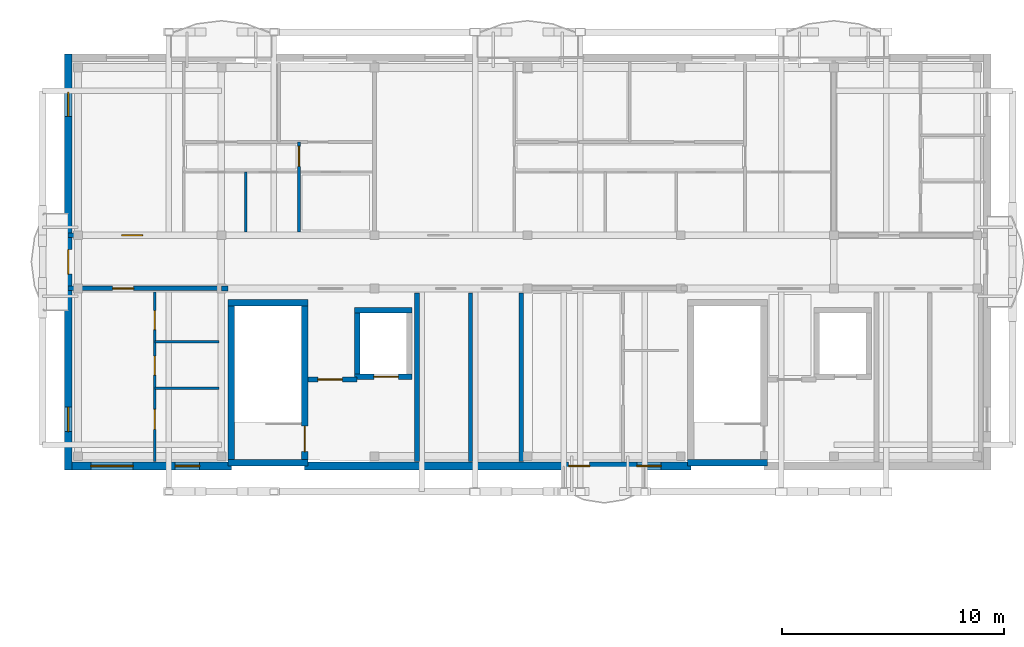
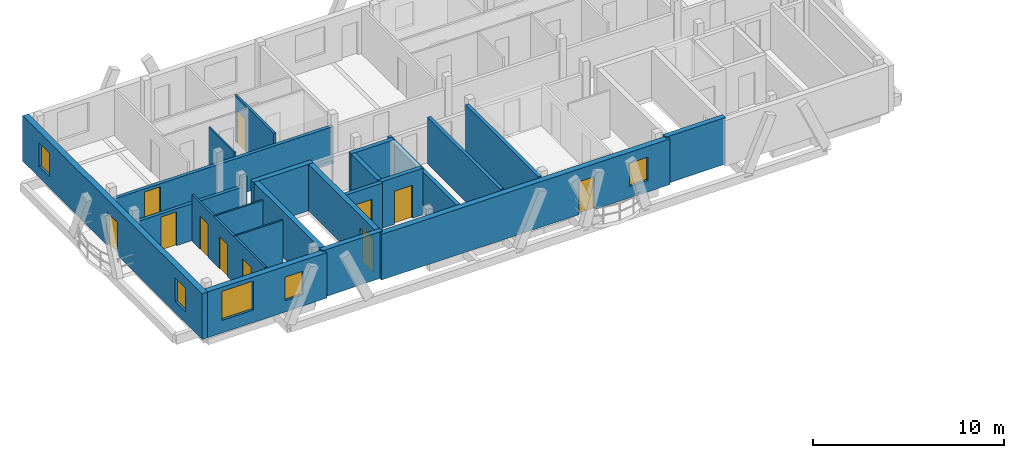
# One storey, part 10 of 18: 23 walls, 11 doors, 5 windows, 16 openings.
"""IFC4 building model written with IfcOpenShell, lengths in metres."""

from ifc_helpers import new_model, si_unit, direction, frame, frame_2d, origin, origin_with_axes, place, context, subcontext, project, spatial, rectangle, extrude, material, layer, layer_set, type_object, element, fill, save


model = new_model("IFC4")

# Units and contexts
model_context = context("Model", 3, precision=1e-05, world=origin(), true_north=direction((0.0, 1.0)))
body_context = subcontext(model_context, "Body", "Model", "MODEL_VIEW")
ifc_project = project(units=[si_unit("LENGTHUNIT", "METRE"), si_unit("AREAUNIT", "SQUARE_METRE"), si_unit("VOLUMEUNIT", "CUBIC_METRE"), si_unit("PLANEANGLEUNIT", "RADIAN"), si_unit("MASSUNIT", "GRAM", prefix="KILO")], contexts=[model_context])

# Site, building, storey
site_placement = place(None, origin())
site = spatial("IfcSite", under=ifc_project, at=site_placement, CompositionType="ELEMENT")
building_placement = place(site_placement, origin())
building = spatial("IfcBuilding", under=site, at=building_placement, Name="Zavelmont Quarter", CompositionType="ELEMENT")
storey_placement = place(building_placement, frame((0.0, 0.0, 40.0)))
storey = spatial("IfcBuildingStorey", under=building, at=storey_placement, Name="L12", CompositionType="ELEMENT", Elevation=40.0)

# Wall, openings, windows
ifc_material_1 = material(Name="Natural Belgian limestone", Category="masonry")
ifc_layer_1 = layer(ifc_material_1, 0.340087890625)
ifc_layer_set_1 = layer_set([ifc_layer_1], Name="Natural Belgian limestone")
wall_type_1 = type_object("IfcWallType", Name="EW03", PredefinedType="STANDARD", material=ifc_layer_set_1)
wall_1_placement = place(storey_placement, frame((0.159912109375, 97.60009765625, 0.0), z_axis=(0.0, 0.0, 1.0), x_axis=(1.0, 0.0, 0.0)))
wall_1 = element("IfcWall", 1, at=wall_1_placement, inside=storey, type_object=wall_type_1, Name="L12 exterior limestone wall EW03", PredefinedType="STANDARD", context=body_context, shape_type="SweptSolid", body=[
    extrude(rectangle(XDim=7.190185546875, YDim=0.340087890625, at=frame_2d((3.59521484375, 0.0))), origin(), (0.0, 0.0, 1.0), 2.909912109375),
])
opening_1_placement = place(wall_1_placement, frame((0.860107421875, 0.0, 0.800048828125)))
opening_1 = element("IfcOpeningElement", 2, at=opening_1_placement, cuts=wall_1, Name="Opening WN20", PredefinedType="OPENING", context=body_context, shape_type="SweptSolid", body=[
    extrude(rectangle(XDim=1.89990234375, YDim=1.85009765625, at=frame_2d((0.949951171875, 0.925048828125))), frame((0.0, 0.18212890625, 0.0), z_axis=(0.0, -1.0, 0.0), x_axis=(1.0, 0.0, 0.0)), (0.0, 0.0, 1.0), 0.364013671875),
])
opening_2_placement = place(wall_1_placement, frame((4.659912109375, 0.0, 0.719970703125)))
opening_2 = element("IfcOpeningElement", 3, at=opening_2_placement, cuts=wall_1, Name="Opening WN09", PredefinedType="OPENING", context=body_context, shape_type="SweptSolid", body=[
    extrude(rectangle(XDim=1.10009765625, YDim=1.5, at=frame_2d((0.550048828125, 0.75))), frame((0.0, 0.18212890625, 0.0), z_axis=(0.0, -1.0, 0.0), x_axis=(1.0, 0.0, 0.0)), (0.0, 0.0, 1.0), 0.364013671875),
])
ifc_material_2 = material(Name="Double low-E insulated glazing in thermally broken aluminium frame", Category="aluminium")
window_type_1 = type_object("IfcWindowType", Name="WN09", PartitioningType="SINGLE_PANEL", PredefinedType="WINDOW", material=ifc_material_2)
window_1_placement = place(opening_2_placement, origin_with_axes())
window_1 = element("IfcWindow", 4, at=window_1_placement, inside=storey, type_object=window_type_1, Name="L12 window WN09", OverallHeight=1.5, OverallWidth=1.10009765625, PartitioningType="SINGLE_PANEL", PredefinedType="WINDOW", context=body_context, shape_type="SweptSolid", body=[
    extrude(rectangle(XDim=1.10009765625, YDim=1.5, at=frame_2d((0.550048828125, 0.75))), frame((0.0, 0.030029296875, 0.0), z_axis=(0.0, -1.0, 0.0), x_axis=(1.0, 0.0, 0.0)), (0.0, 0.0, 1.0), 0.06005859375),
])
fill(opening_2, window_1)
window_type_2 = type_object("IfcWindowType", Name="WN20", PartitioningType="SINGLE_PANEL", PredefinedType="WINDOW", material=ifc_material_2)
window_2_placement = place(opening_1_placement, origin_with_axes())
window_2 = element("IfcWindow", 5, at=window_2_placement, inside=storey, type_object=window_type_2, Name="L12 window WN20", OverallHeight=1.85009765625, OverallWidth=1.89990234375, PartitioningType="SINGLE_PANEL", PredefinedType="WINDOW", context=body_context, shape_type="SweptSolid", body=[
    extrude(rectangle(XDim=1.89990234375, YDim=1.85009765625, at=frame_2d((0.949951171875, 0.925048828125))), frame((0.0, 0.030029296875, 0.0), z_axis=(0.0, -1.0, 0.0), x_axis=(1.0, 0.0, 0.0)), (0.0, 0.0, 1.0), 0.06005859375),
])
fill(opening_1, window_2)

# Wall, openings, door, window
wall_2_placement = place(storey_placement, frame((10.64990234375, 97.60009765625, 0.0), z_axis=(0.0, 0.0, 1.0), x_axis=(1.0, 0.0, 0.0)))
wall_2 = element("IfcWall", 6, at=wall_2_placement, inside=storey, type_object=wall_type_1, Name="L12 exterior limestone wall EW03", PredefinedType="STANDARD", context=body_context, shape_type="SweptSolid", body=[
    extrude(rectangle(XDim=17.400146484375, YDim=0.340087890625, at=frame_2d((8.7001953125, 0.0))), origin(), (0.0, 0.0, 1.0), 2.909912109375),
])
opening_3_placement = place(wall_2_placement, frame((11.8984375, 0.0, 0.0)))
opening_3 = element("IfcOpeningElement", 7, at=opening_3_placement, cuts=wall_2, Name="Opening DR04", PredefinedType="OPENING", context=body_context, shape_type="SweptSolid", body=[
    extrude(rectangle(XDim=0.949951171875, YDim=2.10009765625, at=frame_2d((0.47509765625, 1.050048828125))), frame((0.0, 0.18212890625, 0.0), z_axis=(0.0, -1.0, 0.0), x_axis=(1.0, 0.0, 0.0)), (0.0, 0.0, 1.0), 0.364013671875),
])
opening_4_placement = place(wall_2_placement, frame((14.969970703125, 0.0, 0.719970703125)))
opening_4 = element("IfcOpeningElement", 8, at=opening_4_placement, cuts=wall_2, Name="Opening WN09", PredefinedType="OPENING", context=body_context, shape_type="SweptSolid", body=[
    extrude(rectangle(XDim=1.10009765625, YDim=1.5, at=frame_2d((0.550048828125, 0.75))), frame((0.0, 0.18212890625, 0.0), z_axis=(0.0, -1.0, 0.0), x_axis=(1.0, 0.0, 0.0)), (0.0, 0.0, 1.0), 0.364013671875),
])
ifc_material_3 = material(Name="Thermally broken aluminium and double safety glass", Category="aluminium")
door_type_1 = type_object("IfcDoorType", Name="DR04", OperationType="NOTDEFINED", PredefinedType="DOOR", material=ifc_material_3)
door_1_placement = place(opening_3_placement, origin_with_axes())
door_1 = element("IfcDoor", 9, at=door_1_placement, inside=storey, type_object=door_type_1, Name="Block B L12 glazed balcony door", OperationType="SINGLE_SWING_RIGHT", OverallHeight=2.10009765625, OverallWidth=0.949951171875, PredefinedType="DOOR", context=body_context, shape_type="SweptSolid", body=[
    extrude(rectangle(XDim=0.949951171875, YDim=2.10009765625, at=frame_2d((0.47509765625, 1.050048828125))), frame((0.0, 0.02490234375, 0.0), z_axis=(0.0, -1.0, 0.0), x_axis=(1.0, 0.0, 0.0)), (0.0, 0.0, 1.0), 0.050048828125),
])
fill(opening_3, door_1)
window_3_placement = place(opening_4_placement, origin_with_axes())
window_3 = element("IfcWindow", 10, at=window_3_placement, inside=storey, type_object=window_type_1, Name="L12 window WN09", OverallHeight=1.5, OverallWidth=1.10009765625, PartitioningType="SINGLE_PANEL", PredefinedType="WINDOW", context=body_context, shape_type="SweptSolid", body=[
    extrude(rectangle(XDim=1.10009765625, YDim=1.5, at=frame_2d((0.550048828125, 0.75))), frame((0.0, 0.030029296875, 0.0), z_axis=(0.0, -1.0, 0.0), x_axis=(1.0, 0.0, 0.0)), (0.0, 0.0, 1.0), 0.06005859375),
])
fill(opening_4, window_3)

# Wall, openings, door, windows
wall_3_placement = place(storey_placement, frame((0.0, 97.429931640625, 0.0), z_axis=(0.0, 0.0, 1.0), x_axis=(0.0, 1.0, 0.0)))
wall_3 = element("IfcWall", 11, at=wall_3_placement, inside=storey, type_object=wall_type_1, Name="L12 exterior limestone wall EW03", PredefinedType="STANDARD", context=body_context, shape_type="SweptSolid", body=[
    extrude(rectangle(XDim=18.739990234375, YDim=0.340087890625, at=frame_2d((9.3701171875, 0.0))), origin(), (0.0, 0.0, 1.0), 2.909912109375),
])
opening_5_placement = place(wall_3_placement, frame((8.820068359375, 0.0, 0.0)))
opening_5 = element("IfcOpeningElement", 12, at=opening_5_placement, cuts=wall_3, Name="Opening DR04B", PredefinedType="OPENING", context=body_context, shape_type="SweptSolid", body=[
    extrude(rectangle(XDim=1.10009765625, YDim=2.10009765625, at=frame_2d((0.550048828125, 1.050048828125))), frame((0.0, 0.18212890625, 0.0), z_axis=(0.0, -1.0, 0.0), x_axis=(1.0, 0.0, 0.0)), (0.0, 0.0, 1.0), 0.364013671875),
])
opening_6_placement = place(wall_3_placement, frame((1.719970703125, 0.0, 0.719970703125)))
opening_6 = element("IfcOpeningElement", 13, at=opening_6_placement, cuts=wall_3, Name="Opening WN09", PredefinedType="OPENING", context=body_context, shape_type="SweptSolid", body=[
    extrude(rectangle(XDim=1.10009765625, YDim=1.5, at=frame_2d((0.550048828125, 0.75))), frame((0.0, 0.18212890625, 0.0), z_axis=(0.0, -1.0, 0.0), x_axis=(1.0, 0.0, 0.0)), (0.0, 0.0, 1.0), 0.364013671875),
])
opening_7_placement = place(wall_3_placement, frame((15.919921875, 0.0, 0.719970703125)))
opening_7 = element("IfcOpeningElement", 14, at=opening_7_placement, cuts=wall_3, Name="Opening WN09", PredefinedType="OPENING", context=body_context, shape_type="SweptSolid", body=[
    extrude(rectangle(XDim=1.10009765625, YDim=1.5, at=frame_2d((0.550048828125, 0.75))), frame((0.0, 0.18212890625, 0.0), z_axis=(0.0, -1.0, 0.0), x_axis=(1.0, 0.0, 0.0)), (0.0, 0.0, 1.0), 0.364013671875),
])
door_type_2 = type_object("IfcDoorType", Name="DR04B", OperationType="NOTDEFINED", PredefinedType="DOOR", material=ifc_material_3)
door_2_placement = place(opening_5_placement, frame((1.10009765625, 0.0, 0.0), z_axis=(0.0, 0.0, 1.0), x_axis=(-1.0, 0.0, 0.0)))
door_2 = element("IfcDoor", 15, at=door_2_placement, inside=storey, type_object=door_type_2, Name="Block B L12 terrace or vase balcony door", OperationType="SINGLE_SWING_LEFT", OverallHeight=2.10009765625, OverallWidth=1.10009765625, PredefinedType="DOOR", context=body_context, shape_type="SweptSolid", body=[
    extrude(rectangle(XDim=1.10009765625, YDim=2.10009765625, at=frame_2d((0.550048828125, 1.050048828125))), frame((0.0, 0.02490234375, 0.0), z_axis=(0.0, -1.0, 0.0), x_axis=(1.0, 0.0, 0.0)), (0.0, 0.0, 1.0), 0.050048828125),
])
fill(opening_5, door_2)
window_4_placement = place(opening_6_placement, origin_with_axes())
window_4 = element("IfcWindow", 16, at=window_4_placement, inside=storey, type_object=window_type_1, Name="L12 window WN09", OverallHeight=1.5, OverallWidth=1.10009765625, PartitioningType="SINGLE_PANEL", PredefinedType="WINDOW", context=body_context, shape_type="SweptSolid", body=[
    extrude(rectangle(XDim=1.10009765625, YDim=1.5, at=frame_2d((0.550048828125, 0.75))), frame((0.0, 0.030029296875, 0.0), z_axis=(0.0, -1.0, 0.0), x_axis=(1.0, 0.0, 0.0)), (0.0, 0.0, 1.0), 0.06005859375),
])
fill(opening_6, window_4)
window_5_placement = place(opening_7_placement, origin_with_axes())
window_5 = element("IfcWindow", 17, at=window_5_placement, inside=storey, type_object=window_type_1, Name="L12 window WN09", OverallHeight=1.5, OverallWidth=1.10009765625, PartitioningType="SINGLE_PANEL", PredefinedType="WINDOW", context=body_context, shape_type="SweptSolid", body=[
    extrude(rectangle(XDim=1.10009765625, YDim=1.5, at=frame_2d((0.550048828125, 0.75))), frame((0.0, 0.030029296875, 0.0), z_axis=(0.0, -1.0, 0.0), x_axis=(1.0, 0.0, 0.0)), (0.0, 0.0, 1.0), 0.06005859375),
])
fill(opening_7, window_5)

# Walls
ifc_material_4 = material(Name="Calcium-silicate blockwork and acoustic plaster", Category="masonry")
ifc_layer_2 = layer(ifc_material_4, 0.199951171875)
ifc_layer_set_2 = layer_set([ifc_layer_2], Name="Calcium-silicate blockwork and acoustic plaster")
wall_type_2 = type_object("IfcWallType", Name="IW01", PredefinedType="PARTITIONING", material=ifc_layer_set_2)
for number, where, z_axis, x_axis, name in (
    (18, (18.125, 97.800048828125, 0.0), (0.0, 0.0, 1.0), (0.0, 1.0, 0.0), "L12 Service riser divider wall IW01"),
    (19, (20.419921875, 97.800048828125, 0.0), (0.0, 0.0, 1.0), (0.0, 1.0, 0.0), "L12 Core service end wall IW01"),
):
    element("IfcWall", number, at=place(storey_placement, frame(where, z_axis=z_axis, x_axis=x_axis)), inside=storey, type_object=wall_type_2, Name=name, PredefinedType="PARTITIONING", context=body_context, shape_type="SweptSolid", body=[
        extrude(rectangle(XDim=7.599853515625, YDim=0.199951171875, at=frame_2d((3.7998046875, 0.0))), origin(), (0.0, 0.0, 1.0), 2.969970703125),
    ])

# Wall, opening, door
wall_4_placement = place(storey_placement, frame((0.0, 108.0, 0.0), z_axis=(0.0, 0.0, 1.0), x_axis=(1.0, 0.0, 0.0)))
wall_4 = element("IfcWall", 20, at=wall_4_placement, inside=storey, type_object=wall_type_2, Name="L12 Corridor compartment wall IW01", PredefinedType="PARTITIONING", context=body_context, shape_type="SweptSolid", body=[
    extrude(rectangle(XDim=13.800048828125, YDim=0.199951171875, at=frame_2d((6.89990234375, 0.0))), origin(), (0.0, 0.0, 1.0), 2.35009765625),
])
opening_8_placement = place(wall_4_placement, frame((2.39990234375, 0.0, 0.0)))
opening_8 = element("IfcOpeningElement", 21, at=opening_8_placement, cuts=wall_4, Name="Opening DR02", PredefinedType="OPENING", context=body_context, shape_type="SweptSolid", body=[
    extrude(rectangle(XDim=0.949951171875, YDim=2.14990234375, at=frame_2d((0.47509765625, 1.074951171875))), frame((0.0, 0.11181640625, 0.0), z_axis=(0.0, -1.0, 0.0), x_axis=(1.0, 0.0, 0.0)), (0.0, 0.0, 1.0), 0.223876953125),
])
ifc_material_5 = material(Name="Solid-core oak fire leaf in steel frame", Category="steel")
door_type_3 = type_object("IfcDoorType", Name="DR02", OperationType="NOTDEFINED", PredefinedType="DOOR", material=ifc_material_5)
door_3_placement = place(opening_8_placement, origin_with_axes())
door_3 = element("IfcDoor", 22, at=door_3_placement, inside=storey, type_object=door_type_3, Name="L12 door DR02", OperationType="SINGLE_SWING_RIGHT", OverallHeight=2.14990234375, OverallWidth=0.949951171875, PredefinedType="DOOR", context=body_context, shape_type="SweptSolid", body=[
    extrude(rectangle(XDim=0.949951171875, YDim=2.14990234375, at=frame_2d((0.47509765625, 1.074951171875))), frame((0.0, 0.02490234375, 0.0), z_axis=(0.0, -1.0, 0.0), x_axis=(1.0, 0.0, 0.0)), (0.0, 0.0, 1.0), 0.050048828125),
])
fill(opening_8, door_3)

wall_5_placement = place(storey_placement, frame((0.0, 105.60009765625, 0.0), z_axis=(0.0, 0.0, 1.0), x_axis=(1.0, 0.0, 0.0)))
wall_5 = element("IfcWall", 23, at=wall_5_placement, inside=storey, type_object=wall_type_2, Name="L12 Corridor compartment wall IW01", PredefinedType="PARTITIONING", context=body_context, shape_type="SweptSolid", body=[
    extrude(rectangle(XDim=6.89990234375, YDim=0.199951171875, at=frame_2d((3.449951171875, 0.0))), origin(), (0.0, 0.0, 1.0), 2.35009765625),
])
opening_9_placement = place(wall_5_placement, frame((2.0, 0.0, 0.0)))
opening_9 = element("IfcOpeningElement", 24, at=opening_9_placement, cuts=wall_5, Name="Opening DR02", PredefinedType="OPENING", context=body_context, shape_type="SweptSolid", body=[
    extrude(rectangle(XDim=0.949951171875, YDim=2.14990234375, at=frame_2d((0.47509765625, 1.074951171875))), frame((0.0, 0.11181640625, 0.0), z_axis=(0.0, -1.0, 0.0), x_axis=(1.0, 0.0, 0.0)), (0.0, 0.0, 1.0), 0.223876953125),
])
door_4_placement = place(opening_9_placement, frame((0.949951171875, 0.0, 0.0), z_axis=(0.0, 0.0, 1.0), x_axis=(-1.0, 0.0, 0.0)))
door_4 = element("IfcDoor", 25, at=door_4_placement, inside=storey, type_object=door_type_3, Name="L12 door DR02", OperationType="SINGLE_SWING_LEFT", OverallHeight=2.14990234375, OverallWidth=0.949951171875, PredefinedType="DOOR", context=body_context, shape_type="SweptSolid", body=[
    extrude(rectangle(XDim=0.949951171875, YDim=2.14990234375, at=frame_2d((0.47509765625, 1.074951171875))), frame((0.0, 0.02490234375, 0.0), z_axis=(0.0, -1.0, 0.0), x_axis=(1.0, 0.0, 0.0)), (0.0, 0.0, 1.0), 0.050048828125),
])
fill(opening_9, door_4)

# Wall
ifc_material_6 = material(Name="Reinforced masonry fire compartment wall", Category="masonry")
ifc_layer_3 = layer(ifc_material_6, 0.22509765625)
ifc_layer_set_3 = layer_set([ifc_layer_3], Name="Reinforced masonry fire compartment wall")
wall_type_3 = type_object("IfcWallType", Name="IW02", PredefinedType="PARTITIONING", material=ifc_layer_set_3)
wall_6_placement = place(storey_placement, frame((15.7099609375, 97.800048828125, 0.0), z_axis=(0.0, 0.0, 1.0), x_axis=(0.0, 1.0, 0.0)))
element("IfcWall", 26, at=wall_6_placement, inside=storey, type_object=wall_type_3, Name="L12 Firefighting lobby enclosure wall IW02", PredefinedType="PARTITIONING", context=body_context, shape_type="SweptSolid", body=[
    extrude(rectangle(XDim=7.599853515625, YDim=0.22509765625, at=frame_2d((3.7998046875, 0.0))), origin(), (0.0, 0.0, 1.0), 2.590087890625),
])

# Wall, opening, door
wall_7_placement = place(storey_placement, frame((10.800048828125, 101.5, 0.0), z_axis=(0.0, 0.0, 1.0), x_axis=(1.0, 0.0, 0.0)))
wall_7 = element("IfcWall", 27, at=wall_7_placement, inside=storey, type_object=wall_type_3, Name="L12 Firefighting lobby threshold wall IW02", PredefinedType="PARTITIONING", context=body_context, shape_type="SweptSolid", body=[
    extrude(rectangle(XDim=2.199951171875, YDim=0.22509765625, at=frame_2d((1.10009765625, 0.0))), origin(), (0.0, 0.0, 1.0), 2.969970703125),
])
opening_10_placement = place(wall_7_placement, frame((0.449951171875, 0.0, 0.0)))
opening_10 = element("IfcOpeningElement", 28, at=opening_10_placement, cuts=wall_7, Name="Opening DR10", PredefinedType="OPENING", context=body_context, shape_type="SweptSolid", body=[
    extrude(rectangle(XDim=1.10009765625, YDim=2.14990234375, at=frame_2d((0.550048828125, 1.074951171875))), frame((0.0, 0.12451171875, 0.0), z_axis=(0.0, -1.0, 0.0), x_axis=(1.0, 0.0, 0.0)), (0.0, 0.0, 1.0), 0.2490234375),
])
ifc_material_7 = material(Name="Painted steel lobby fire door", Category="steel")
door_type_4 = type_object("IfcDoorType", Name="DR10", OperationType="NOTDEFINED", PredefinedType="DOOR", material=ifc_material_7)
door_5_placement = place(opening_10_placement, frame((1.10009765625, 0.0, 0.0), z_axis=(0.0, 0.0, 1.0), x_axis=(-1.0, 0.0, 0.0)))
door_5 = element("IfcDoor", 29, at=door_5_placement, inside=storey, type_object=door_type_4, Name="Firefighting lobby fire door", OperationType="SINGLE_SWING_RIGHT", OverallHeight=2.14990234375, OverallWidth=1.10009765625, PredefinedType="DOOR", context=body_context, shape_type="SweptSolid", body=[
    extrude(rectangle(XDim=1.10009765625, YDim=2.14990234375, at=frame_2d((0.550048828125, 1.074951171875))), frame((0.0, 0.02490234375, 0.0), z_axis=(0.0, -1.0, 0.0), x_axis=(1.0, 0.0, 0.0)), (0.0, 0.0, 1.0), 0.050048828125),
])
fill(opening_10, door_5)

# Wall
wall_8_placement = place(storey_placement, frame((6.89990234375, 105.60009765625, 0.0), z_axis=(0.0, 0.0, 1.0), x_axis=(1.0, 0.0, 0.0)))
element("IfcWall", 30, at=wall_8_placement, inside=storey, type_object=wall_type_3, Name="L12 Core corridor wall IW02", PredefinedType="PARTITIONING", context=body_context, shape_type="SweptSolid", body=[
    extrude(rectangle(XDim=0.300048828125, YDim=0.22509765625, at=frame_2d((0.14990234375, 0.0))), origin(), (0.0, 0.0, 1.0), 2.969970703125),
])

# Wall, opening, door
ifc_material_8 = material(Name="Double gypsum board on acoustic steel stud", Category="steel")
ifc_layer_4 = layer(ifc_material_8, 0.125)
ifc_layer_set_4 = layer_set([ifc_layer_4], Name="Double gypsum board on acoustic steel stud")
wall_type_4 = type_object("IfcWallType", Name="IW03", PredefinedType="PARTITIONING", material=ifc_layer_set_4)
wall_9_placement = place(storey_placement, frame((10.39990234375, 108.14990234375, 0.0), z_axis=(0.0, 0.0, 1.0), x_axis=(0.0, 1.0, 0.0)))
wall_9 = element("IfcWall", 31, at=wall_9_placement, inside=storey, type_object=wall_type_4, Name="L12 Partition IW03", PredefinedType="PARTITIONING", context=body_context, shape_type="SweptSolid", body=[
    extrude(rectangle(XDim=4.050048828125, YDim=0.125, at=frame_2d((2.02490234375, 0.0))), origin(), (0.0, 0.0, 1.0), 2.969970703125),
])
opening_11_placement = place(wall_9_placement, frame((2.949951171875, 0.0, 0.0)))
opening_11 = element("IfcOpeningElement", 32, at=opening_11_placement, cuts=wall_9, Name="Opening DR05", PredefinedType="OPENING", context=body_context, shape_type="SweptSolid", body=[
    extrude(rectangle(XDim=0.89990234375, YDim=2.10009765625, at=frame_2d((0.449951171875, 1.050048828125))), frame((0.0, 0.074462890625, 0.0), z_axis=(0.0, -1.0, 0.0), x_axis=(1.0, 0.0, 0.0)), (0.0, 0.0, 1.0), 0.14892578125),
])
ifc_material_9 = material(Name="Engineered oak flush interior door")
door_type_5 = type_object("IfcDoorType", Name="DR05", OperationType="NOTDEFINED", PredefinedType="DOOR", material=ifc_material_9)
door_6_placement = place(opening_11_placement, frame((0.89990234375, 0.0, 0.0), z_axis=(0.0, 0.0, 1.0), x_axis=(-1.0, 0.0, 0.0)))
door_6 = element("IfcDoor", 33, at=door_6_placement, inside=storey, type_object=door_type_5, Name="L12 door DR05", OperationType="SINGLE_SWING_LEFT", OverallHeight=2.10009765625, OverallWidth=0.89990234375, PredefinedType="DOOR", context=body_context, shape_type="SweptSolid", body=[
    extrude(rectangle(XDim=0.89990234375, YDim=2.10009765625, at=frame_2d((0.449951171875, 1.050048828125))), frame((0.0, 0.02490234375, 0.0), z_axis=(0.0, -1.0, 0.0), x_axis=(1.0, 0.0, 0.0)), (0.0, 0.0, 1.0), 0.050048828125),
])
fill(opening_11, door_6)

# Wall, openings, doors
wall_10_placement = place(storey_placement, frame((3.89990234375, 105.449951171875, 0.0), z_axis=(0.0, 0.0, 1.0), x_axis=(0.0, -1.0, 0.0)))
wall_10 = element("IfcWall", 34, at=wall_10_placement, inside=storey, type_object=wall_type_4, Name="L12 Partition IW03", PredefinedType="PARTITIONING", context=body_context, shape_type="SweptSolid", body=[
    extrude(rectangle(XDim=7.64990234375, YDim=0.125, at=frame_2d((3.824951171875, 0.0))), origin(), (0.0, 0.0, 1.0), 2.969970703125),
])
opening_12_placement = place(wall_10_placement, frame((0.85009765625, 0.0, 0.0)))
opening_12 = element("IfcOpeningElement", 35, at=opening_12_placement, cuts=wall_10, Name="Opening DR16", PredefinedType="OPENING", context=body_context, shape_type="SweptSolid", body=[
    extrude(rectangle(XDim=0.85009765625, YDim=2.10009765625, at=frame_2d((0.425048828125, 1.050048828125))), frame((0.0, 0.074462890625, 0.0), z_axis=(0.0, -1.0, 0.0), x_axis=(1.0, 0.0, 0.0)), (0.0, 0.0, 1.0), 0.14892578125),
])
opening_13_placement = place(wall_10_placement, frame((2.89990234375, 0.0, 0.0)))
opening_13 = element("IfcOpeningElement", 36, at=opening_13_placement, cuts=wall_10, Name="Opening DR06", PredefinedType="OPENING", context=body_context, shape_type="SweptSolid", body=[
    extrude(rectangle(XDim=0.85009765625, YDim=2.050048828125, at=frame_2d((0.425048828125, 1.02490234375))), frame((0.0, 0.074462890625, 0.0), z_axis=(0.0, -1.0, 0.0), x_axis=(1.0, 0.0, 0.0)), (0.0, 0.0, 1.0), 0.14892578125),
])
opening_14_placement = place(wall_10_placement, frame((5.300048828125, 0.0, 0.0)))
opening_14 = element("IfcOpeningElement", 37, at=opening_14_placement, cuts=wall_10, Name="Opening DR05", PredefinedType="OPENING", context=body_context, shape_type="SweptSolid", body=[
    extrude(rectangle(XDim=0.89990234375, YDim=2.10009765625, at=frame_2d((0.449951171875, 1.050048828125))), frame((0.0, 0.074462890625, 0.0), z_axis=(0.0, -1.0, 0.0), x_axis=(1.0, 0.0, 0.0)), (0.0, 0.0, 1.0), 0.14892578125),
])
door_7_placement = place(opening_14_placement, frame((0.89990234375, 0.0, 0.0), z_axis=(0.0, 0.0, 1.0), x_axis=(-1.0, 0.0, 0.0)))
door_7 = element("IfcDoor", 38, at=door_7_placement, inside=storey, type_object=door_type_5, Name="L12 door DR05", OperationType="SINGLE_SWING_LEFT", OverallHeight=2.10009765625, OverallWidth=0.89990234375, PredefinedType="DOOR", context=body_context, shape_type="SweptSolid", body=[
    extrude(rectangle(XDim=0.89990234375, YDim=2.10009765625, at=frame_2d((0.449951171875, 1.050048828125))), frame((0.0, 0.02490234375, 0.0), z_axis=(0.0, -1.0, 0.0), x_axis=(1.0, 0.0, 0.0)), (0.0, 0.0, 1.0), 0.050048828125),
])
fill(opening_14, door_7)
ifc_material_10 = material(Name="Moisture-resistant painted wet-room door")
door_type_6 = type_object("IfcDoorType", Name="DR06", OperationType="NOTDEFINED", PredefinedType="DOOR", material=ifc_material_10)
door_8_placement = place(opening_13_placement, origin_with_axes())
door_8 = element("IfcDoor", 39, at=door_8_placement, inside=storey, type_object=door_type_6, Name="L12 door DR06", OperationType="SINGLE_SWING_RIGHT", OverallHeight=2.050048828125, OverallWidth=0.85009765625, PredefinedType="DOOR", context=body_context, shape_type="SweptSolid", body=[
    extrude(rectangle(XDim=0.85009765625, YDim=2.050048828125, at=frame_2d((0.425048828125, 1.02490234375))), frame((0.0, 0.02490234375, 0.0), z_axis=(0.0, -1.0, 0.0), x_axis=(1.0, 0.0, 0.0)), (0.0, 0.0, 1.0), 0.050048828125),
])
fill(opening_13, door_8)
door_type_7 = type_object("IfcDoorType", Name="DR16", OperationType="NOTDEFINED", PredefinedType="DOOR", material=ifc_material_9)
door_9_placement = place(opening_12_placement, frame((0.85009765625, 0.0, 0.0), z_axis=(0.0, 0.0, 1.0), x_axis=(-1.0, 0.0, 0.0)))
door_9 = element("IfcDoor", 40, at=door_9_placement, inside=storey, type_object=door_type_7, Name="L12 door DR16", OperationType="SINGLE_SWING_LEFT", OverallHeight=2.10009765625, OverallWidth=0.85009765625, PredefinedType="DOOR", context=body_context, shape_type="SweptSolid", body=[
    extrude(rectangle(XDim=0.85009765625, YDim=2.10009765625, at=frame_2d((0.425048828125, 1.050048828125))), frame((0.0, 0.02490234375, 0.0), z_axis=(0.0, -1.0, 0.0), x_axis=(1.0, 0.0, 0.0)), (0.0, 0.0, 1.0), 0.050048828125),
])
fill(opening_12, door_9)

# Walls
ifc_material_11 = material(Name="Moisture-resistant gypsum board on steel stud", Category="steel")
ifc_layer_5 = layer(ifc_material_11, 0.10009765625)
ifc_layer_set_5 = layer_set([ifc_layer_5], Name="Moisture-resistant gypsum board on steel stud")
wall_type_5 = type_object("IfcWallType", Name="IW04", PredefinedType="PARTITIONING", material=ifc_layer_set_5)
wall_11_placement = place(storey_placement, frame((8.0, 108.14990234375, 0.0), z_axis=(0.0, 0.0, 1.0), x_axis=(0.0, 1.0, 0.0)))
element("IfcWall", 41, at=wall_11_placement, inside=storey, type_object=wall_type_5, Name="L12 Partition IW04", PredefinedType="PARTITIONING", context=body_context, shape_type="SweptSolid", body=[
    extrude(rectangle(XDim=2.7001953125, YDim=0.10009765625, at=frame_2d((1.35009765625, 0.0))), origin(), (0.0, 0.0, 1.0), 2.590087890625),
])
for number, where, z_axis, x_axis, name in (
    (42, (3.89990234375, 103.199951171875, 0.0), (0.0, 0.0, 1.0), (1.0, 0.0, 0.0), "L12 Partition IW04"),
    (43, (3.89990234375, 101.10009765625, 0.0), (0.0, 0.0, 1.0), (1.0, 0.0, 0.0), "L12 Partition IW04"),
):
    element("IfcWall", number, at=place(storey_placement, frame(where, z_axis=z_axis, x_axis=x_axis)), inside=storey, type_object=wall_type_5, Name=name, PredefinedType="PARTITIONING", context=body_context, shape_type="SweptSolid", body=[
        extrude(rectangle(XDim=2.900146484375, YDim=0.10009765625, at=frame_2d((1.4501953125, 0.0))), origin(), (0.0, 0.0, 1.0), 2.969970703125),
    ])
ifc_material_12 = material(Name="Concrete C40/50", Category="concrete")
ifc_layer_6 = layer(ifc_material_12, 0.300048828125)
ifc_layer_set_6 = layer_set([ifc_layer_6], Name="Concrete C40/50")
wall_type_6 = type_object("IfcWallType", Name="SW01", PredefinedType="SHEAR", material=ifc_layer_set_6)
wall_12_placement = place(storey_placement, frame((7.199951171875, 104.949951171875, 0.0), z_axis=(0.0, 0.0, 1.0), x_axis=(1.0, 0.0, 0.0)))
element("IfcWall", 44, at=wall_12_placement, inside=storey, type_object=wall_type_6, Name="L12 ST03 corridor shear wall SW01", PredefinedType="SHEAR", context=body_context, shape_type="SweptSolid", body=[
    extrude(rectangle(XDim=3.60009765625, YDim=0.300048828125, at=frame_2d((1.800048828125, 0.0))), origin(), (0.0, 0.0, 1.0), 2.969970703125),
])
wall_13_placement = place(storey_placement, frame((7.35009765625, 97.60009765625, 0.0), z_axis=(0.0, 0.0, 1.0), x_axis=(0.0, 1.0, 0.0)))
element("IfcWall", 45, at=wall_13_placement, inside=storey, type_object=wall_type_6, Name="L12 ST03 west shear wall SW01", PredefinedType="SHEAR", context=body_context, shape_type="SweptSolid", body=[
    extrude(rectangle(XDim=7.5, YDim=0.300048828125, at=frame_2d((3.75, 0.0))), origin(), (0.0, 0.0, 1.0), 2.969970703125),
])

# Wall, opening, door
wall_14_placement = place(storey_placement, frame((10.64990234375, 97.60009765625, 0.0), z_axis=(0.0, 0.0, 1.0), x_axis=(0.0, 1.0, 0.0)))
wall_14 = element("IfcWall", 46, at=wall_14_placement, inside=storey, type_object=wall_type_6, Name="L12 ST03 lobby shear wall SW01", PredefinedType="SHEAR", context=body_context, shape_type="SweptSolid", body=[
    extrude(rectangle(XDim=7.5, YDim=0.300048828125, at=frame_2d((3.75, 0.0))), origin(), (0.0, 0.0, 1.0), 2.969970703125),
])
opening_15_placement = place(wall_14_placement, frame((0.64990234375, 0.0, 0.0)))
opening_15 = element("IfcOpeningElement", 47, at=opening_15_placement, cuts=wall_14, Name="Opening DR09", PredefinedType="OPENING", context=body_context, shape_type="SweptSolid", body=[
    extrude(rectangle(XDim=1.14990234375, YDim=2.14990234375, at=frame_2d((0.574951171875, 1.074951171875))), frame((0.0, 0.162109375, 0.0), z_axis=(0.0, -1.0, 0.0), x_axis=(1.0, 0.0, 0.0)), (0.0, 0.0, 1.0), 0.323974609375),
])
ifc_material_13 = material(Name="Painted steel stair-core fire door", Category="steel")
door_type_8 = type_object("IfcDoorType", Name="DR09", OperationType="NOTDEFINED", PredefinedType="DOOR", material=ifc_material_13)
door_10_placement = place(opening_15_placement, origin_with_axes())
door_10 = element("IfcDoor", 48, at=door_10_placement, inside=storey, type_object=door_type_8, Name="ST03 protected stair door", OperationType="SINGLE_SWING_RIGHT", OverallHeight=2.14990234375, OverallWidth=1.14990234375, PredefinedType="DOOR", context=body_context, shape_type="SweptSolid", body=[
    extrude(rectangle(XDim=1.14990234375, YDim=2.14990234375, at=frame_2d((0.574951171875, 1.074951171875))), frame((0.0, 0.02490234375, 0.0), z_axis=(0.0, -1.0, 0.0), x_axis=(1.0, 0.0, 0.0)), (0.0, 0.0, 1.0), 0.050048828125),
])
fill(opening_15, door_10)

ifc_layer_7 = layer(ifc_material_12, 0.25)
ifc_layer_set_7 = layer_set([ifc_layer_7], Name="Concrete C40/50")
wall_type_7 = type_object("IfcWallType", Name="SW02", PredefinedType="SHEAR", material=ifc_layer_set_7)
wall_15_placement = place(storey_placement, frame((12.89990234375, 101.625, 0.0), z_axis=(0.0, 0.0, 1.0), x_axis=(1.0, 0.0, 0.0)))
wall_15 = element("IfcWall", 49, at=wall_15_placement, inside=storey, type_object=wall_type_7, Name="L12 Lift FL02 landing shaft wall SW02", PredefinedType="SHEAR", context=body_context, shape_type="SweptSolid", body=[
    extrude(rectangle(XDim=2.60009765625, YDim=0.25, at=frame_2d((1.300048828125, 0.0))), origin(), (0.0, 0.0, 1.0), 2.969970703125),
])
opening_16_placement = place(wall_15_placement, frame((0.875, 0.0, 0.0)))
opening_16 = element("IfcOpeningElement", 50, at=opening_16_placement, cuts=wall_15, Name="Opening LD02", PredefinedType="OPENING", context=body_context, shape_type="SweptSolid", body=[
    extrude(rectangle(XDim=1.10009765625, YDim=2.10009765625, at=frame_2d((0.550048828125, 1.050048828125))), frame((0.0, 0.136962890625, 0.0), z_axis=(0.0, -1.0, 0.0), x_axis=(1.0, 0.0, 0.0)), (0.0, 0.0, 1.0), 0.27392578125),
])
ifc_material_14 = material(Name="Brushed stainless-steel firefighting lift landing door", Category="steel")
door_type_9 = type_object("IfcDoorType", Name="LD02", OperationType="SLIDING_TO_LEFT", PredefinedType="DOOR", material=ifc_material_14)
door_11_placement = place(opening_16_placement, origin_with_axes())
door_11 = element("IfcDoor", 51, at=door_11_placement, inside=storey, type_object=door_type_9, Name="Lift FL02 sliding landing door", OperationType="SLIDING_TO_LEFT", OverallHeight=2.10009765625, OverallWidth=1.10009765625, PredefinedType="DOOR", context=body_context, shape_type="SweptSolid", body=[
    extrude(rectangle(XDim=1.10009765625, YDim=2.10009765625, at=frame_2d((0.550048828125, 1.050048828125))), frame((0.0, 0.02490234375, 0.0), z_axis=(0.0, -1.0, 0.0), x_axis=(1.0, 0.0, 0.0)), (0.0, 0.0, 1.0), 0.050048828125),
])
fill(opening_16, door_11)

# Walls
wall_16_placement = place(storey_placement, frame((12.89990234375, 104.625, 0.0), z_axis=(0.0, 0.0, 1.0), x_axis=(1.0, 0.0, 0.0)))
element("IfcWall", 52, at=wall_16_placement, inside=storey, type_object=wall_type_7, Name="L12 Lift FL02 back shaft wall SW02", PredefinedType="SHEAR", context=body_context, shape_type="SweptSolid", body=[
    extrude(rectangle(XDim=2.60009765625, YDim=0.25, at=frame_2d((1.300048828125, 0.0))), origin(), (0.0, 0.0, 1.0), 2.969970703125),
])
wall_17_placement = place(storey_placement, frame((13.02490234375, 101.5, 0.0), z_axis=(0.0, 0.0, 1.0), x_axis=(0.0, 1.0, 0.0)))
element("IfcWall", 53, at=wall_17_placement, inside=storey, type_object=wall_type_7, Name="L12 Lift FL02 west shaft wall SW02", PredefinedType="SHEAR", context=body_context, shape_type="SweptSolid", body=[
    extrude(rectangle(XDim=3.25, YDim=0.25, at=frame_2d((1.625, 0.0))), origin(), (0.0, 0.0, 1.0), 2.969970703125),
])
ifc_layer_8 = layer(ifc_material_12, 0.300048828125)
ifc_layer_set_8 = layer_set([ifc_layer_8], Name="Concrete C40/50")
wall_type_8 = type_object("IfcWallType", Name="SW03", PredefinedType="SHEAR", material=ifc_layer_set_8)
for number, where, z_axis, x_axis, name in (
    (54, (7.199951171875, 97.75, 0.0), (0.0, 0.0, 1.0), (1.0, 0.0, 0.0), "L12 ST03 outer shear wall SW03"),
    (55, (27.89990234375, 97.75, 0.0), (0.0, 0.0, 1.0), (1.0, 0.0, 0.0), "L12 ST04 outer shear wall SW03"),
):
    element("IfcWall", number, at=place(storey_placement, frame(where, z_axis=z_axis, x_axis=x_axis)), inside=storey, type_object=wall_type_8, Name=name, PredefinedType="SHEAR", context=body_context, shape_type="SweptSolid", body=[
        extrude(rectangle(XDim=3.60009765625, YDim=0.300048828125, at=frame_2d((1.800048828125, 0.0))), origin(), (0.0, 0.0, 1.0), 2.969970703125),
    ])

save(model, "model.ifc")
